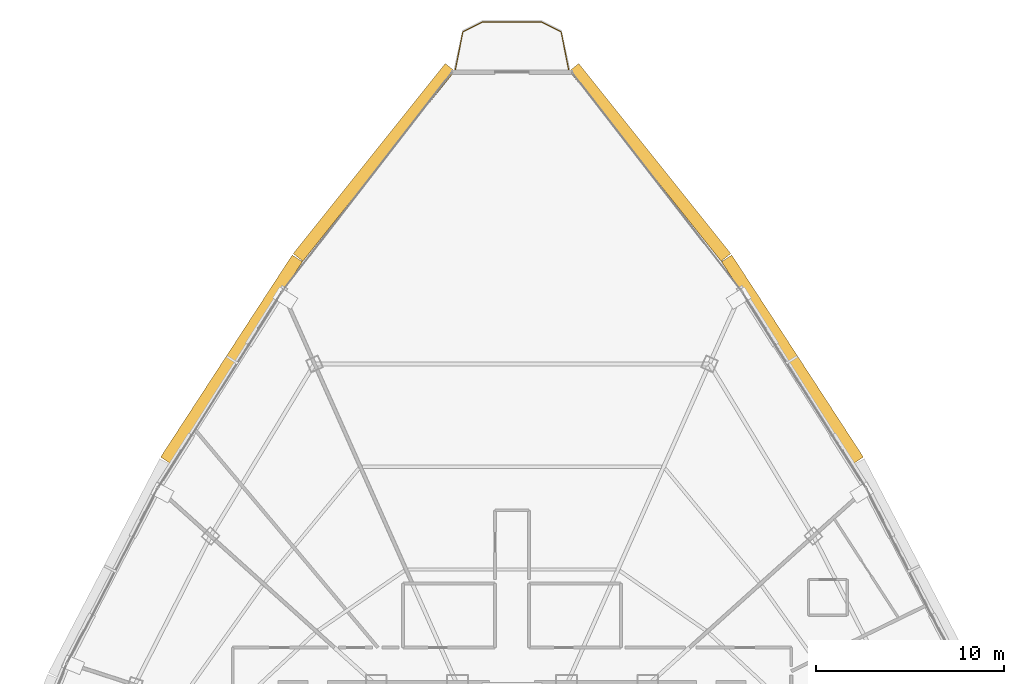
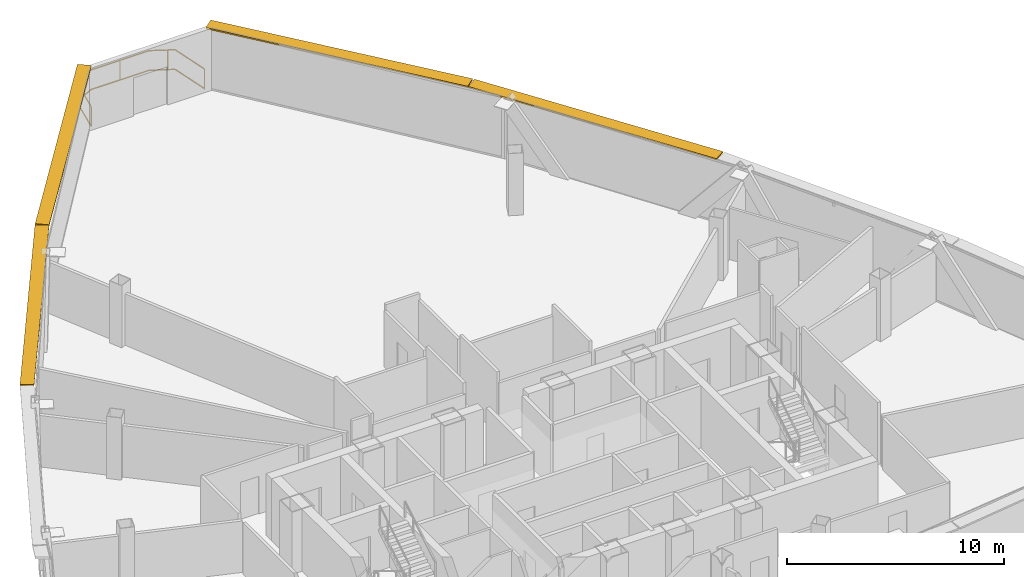
# One storey, part 34 of 34: 4 shading devices, 1 railing.
"""IFC4 building model written with IfcOpenShell, lengths in metres."""

from ifc_helpers import new_model, si_unit, direction, frame, origin, origin_2d, place, context, subcontext, project, spatial, rectangle, extrude, source, transform, mapped, material, layer, layer_set, type_object, element, save


model = new_model("IFC4")

# Units and contexts
model_context = context("Model", 3, precision=1e-05, world=origin(), true_north=direction((0.0, 1.0)))
body_context = subcontext(model_context, "Body", "Model", "MODEL_VIEW")
ifc_project = project(units=[si_unit("LENGTHUNIT", "METRE"), si_unit("AREAUNIT", "SQUARE_METRE"), si_unit("VOLUMEUNIT", "CUBIC_METRE"), si_unit("PLANEANGLEUNIT", "RADIAN"), si_unit("MASSUNIT", "GRAM", prefix="KILO"), si_unit("THERMODYNAMICTEMPERATUREUNIT", "KELVIN"), si_unit("POWERUNIT", "WATT")], contexts=[model_context])

# Site, building, storey
site_placement = place(None, origin())
site = spatial("IfcSite", under=ifc_project, at=site_placement, CompositionType="ELEMENT")
building_placement = place(site_placement, origin())
building = spatial("IfcBuilding", under=site, at=building_placement, Name="Yunzhuo Pagoda Commons", CompositionType="ELEMENT")
storey_placement = place(building_placement, frame((0.0, 0.0, 333.010009765625)))
storey = spatial("IfcBuildingStorey", under=building, at=storey_placement, Name="L83", CompositionType="ELEMENT", Elevation=333.010009765625)

# Railing
ifc_material = material(Name="Anodized aluminium 6063-T6", Category="aluminium")
railing_type = type_object("IfcRailingType", Name="RL-BAL1 Exterior Terrace & Balcony Balustrade 1150", PredefinedType="BALUSTRADE", material=ifc_material)
railing_placement = place(storey_placement, frame((51.013427734375, 72.913330078125, 0.0)))
element("IfcRailing", 1, at=railing_placement, inside=storey, type_object=railing_type, Name="L83 corner balcony balustrade V3", PredefinedType="BALUSTRADE", context=body_context, shape_type="SweptSolid", body=[
    extrude(rectangle(XDim=0.048095703125, YDim=0.048095703125, at=origin_2d()), frame((0.0, 0.0, 1.1259765625), z_axis=(-0.194200568098, 0.980961843983, 0.0), x_axis=(-0.980961843983, -0.194200568098, 0.0)), (0.0, 0.0, 1.0), 2.059326171875),
    extrude(rectangle(XDim=0.048095703125, YDim=0.048095703125, at=origin_2d()), frame((0.0, 0.0, 0.02392578125), z_axis=(-0.194200568098, 0.980961843983, 0.0), x_axis=(-0.980961843983, -0.194200568098, 0.0)), (0.0, 0.0, 1.0), 2.059326171875),
    extrude(rectangle(XDim=0.048095703125, YDim=0.048095703125, at=origin_2d()), frame((-0.39990234375, 2.02001953125, 1.1259765625), z_axis=(-0.895531310987, 0.444998506787, 0.0), x_axis=(-0.444998506787, -0.895531310987, 0.0)), (0.0, 0.0, 1.0), 1.191162109375),
    extrude(rectangle(XDim=0.048095703125, YDim=0.048095703125, at=origin_2d()), frame((-0.39990234375, 2.02001953125, 0.02392578125), z_axis=(-0.895531310987, 0.444998506787, 0.0), x_axis=(-0.444998506787, -0.895531310987, 0.0)), (0.0, 0.0, 1.0), 1.191162109375),
    extrude(rectangle(XDim=0.048095703125, YDim=0.048095703125, at=origin_2d()), frame((-1.466552734375, 2.550048828125, 1.1259765625), z_axis=(-1.0, 0.0, 0.0), x_axis=(0.0, -1.0, 0.0)), (0.0, 0.0, 1.0), 3.09375),
    extrude(rectangle(XDim=0.048095703125, YDim=0.048095703125, at=origin_2d()), frame((-1.466552734375, 2.550048828125, 0.02392578125), z_axis=(-1.0, 0.0, 0.0), x_axis=(0.0, -1.0, 0.0)), (0.0, 0.0, 1.0), 3.09375),
    extrude(rectangle(XDim=0.048095703125, YDim=0.048095703125, at=origin_2d()), frame((-4.560302734375, 2.550048828125, 1.1259765625), z_axis=(-0.895531310987, -0.444998506787, 0.0), x_axis=(0.444998506787, -0.895531310987, 0.0)), (0.0, 0.0, 1.0), 1.191162109375),
    extrude(rectangle(XDim=0.048095703125, YDim=0.048095703125, at=origin_2d()), frame((-4.560302734375, 2.550048828125, 0.02392578125), z_axis=(-0.895531310987, -0.444998506787, 0.0), x_axis=(0.444998506787, -0.895531310987, 0.0)), (0.0, 0.0, 1.0), 1.191162109375),
    extrude(rectangle(XDim=0.048095703125, YDim=0.048095703125, at=origin_2d()), frame((-5.626953125, 2.02001953125, 1.1259765625), z_axis=(-0.194200568098, -0.980961843983, 0.0), x_axis=(0.980961843983, -0.194200568098, 0.0)), (0.0, 0.0, 1.0), 2.059326171875),
    extrude(rectangle(XDim=0.048095703125, YDim=0.048095703125, at=origin_2d()), frame((-5.626953125, 2.02001953125, 0.02392578125), z_axis=(-0.194200568098, -0.980961843983, 0.0), x_axis=(0.980961843983, -0.194200568098, 0.0)), (0.0, 0.0, 1.0), 2.059326171875),
    extrude(rectangle(XDim=0.0419921875, YDim=0.0419921875, at=origin_2d()), origin(), (0.0, 0.0, 1.0), 1.101806640625),
    extrude(rectangle(XDim=0.0419921875, YDim=0.0419921875, at=origin_2d()), frame((-0.705078125, 2.171630859375, 0.0)), (0.0, 0.0, 1.0), 1.101806640625),
    extrude(rectangle(XDim=0.0419921875, YDim=0.0419921875, at=origin_2d()), frame((-3.016357421875, 2.550048828125, 0.0)), (0.0, 0.0, 1.0), 1.101806640625),
    extrude(rectangle(XDim=0.0419921875, YDim=0.0419921875, at=origin_2d()), frame((-5.326904296875, 2.169189453125, 0.0)), (0.0, 0.0, 1.0), 1.101806640625),
    extrude(rectangle(XDim=0.0419921875, YDim=0.0419921875, at=origin_2d()), frame((-6.02685546875, 0.0, 0.0)), (0.0, 0.0, 1.0), 1.101806640625),
])

# Shading devices
ifc_layer = layer(ifc_material, 0.080078125)
ifc_layer_set = layer_set([ifc_layer], Name="Anodized aluminium 6063-T6")
shading_device_type = type_object("IfcShadingDeviceType", Name="SH-SUN1 Pagoda Horizontal Sunshade Eave 650", PredefinedType="USERDEFINED", material=ifc_layer_set)
shared_shape_1 = source(origin(), body_context, "Body", "SweptSolid", [
    extrude(rectangle(XDim=12.942138671875, YDim=0.64990234375, at=origin_2d()), origin(), (0.0, 0.0, 1.0), 0.080078125),
])
for number, where, z_axis, x_axis, name in (
    (2, (55.334716796875, 67.99365234375, 3.409912109375), (0.0, 0.0, 1.0), (-0.624520471688, 0.781008438138, 0.0), "L83 horizontal pagoda sunshade eave F2.4"),
    (3, (40.665283203125, 67.99365234375, 3.409912109375), (0.0, 0.0, 1.0), (-0.624520471688, -0.781008438138, 0.0), "L83 horizontal pagoda sunshade eave F3.1"),
):
    element("IfcShadingDevice", number, at=place(storey_placement, frame(where, z_axis=z_axis, x_axis=x_axis)), inside=storey, type_object=shading_device_type, Name=name, ObjectType="SUNSHADE", PredefinedType="USERDEFINED", context=body_context, shape_type="MappedRepresentation", body=[
        mapped(shared_shape_1, transform((0.0, 0.0, 0.0), scale=1.0)),
    ])
shared_shape_2 = source(origin(), body_context, "Body", "SweptSolid", [
    extrude(rectangle(XDim=12.8193359375, YDim=0.64990234375, at=origin_2d()), origin(), (0.0, 0.0, 1.0), 0.080078125),
])
for number, where, z_axis, x_axis, name in (
    (4, (62.911865234375, 57.517822265625, 3.409912109375), (0.0, 0.0, 1.0), (-0.545853380833, 0.837880711458, 0.0), "L83 horizontal pagoda sunshade eave F2.3"),
    (5, (33.088134765625, 57.517822265625, 3.409912109375), (0.0, 0.0, 1.0), (-0.545853380833, -0.837880711458, 0.0), "L83 horizontal pagoda sunshade eave F3.2"),
):
    element("IfcShadingDevice", number, at=place(storey_placement, frame(where, z_axis=z_axis, x_axis=x_axis)), inside=storey, type_object=shading_device_type, Name=name, ObjectType="SUNSHADE", PredefinedType="USERDEFINED", context=body_context, shape_type="MappedRepresentation", body=[
        mapped(shared_shape_2, transform((0.0, 0.0, 0.0), scale=1.0)),
    ])

save(model, "model.ifc")
